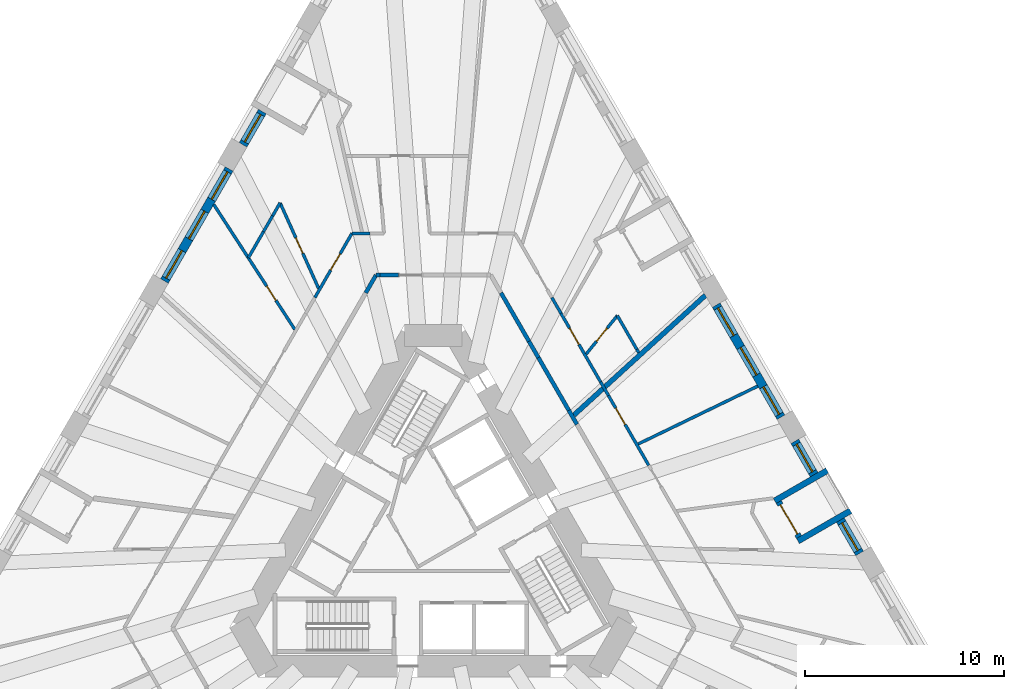
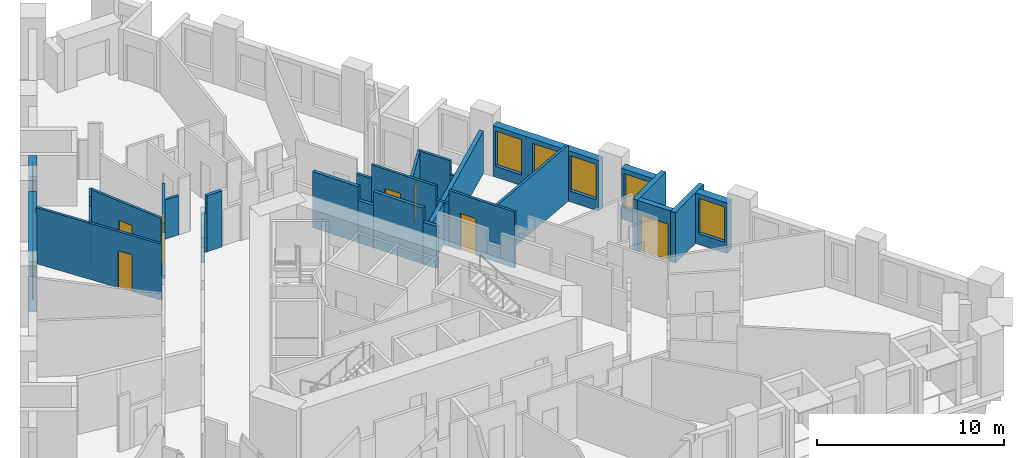
# One storey, part 8 of 14: 31 walls, 9 windows, 7 doors, 16 openings.
"""IFC4 building model written with IfcOpenShell, lengths in metres."""

from ifc_helpers import new_model, si_unit, direction, frame, frame_2d, origin, place, context, subcontext, project, spatial, rectangle, extrude, material, layer, layer_set, type_object, element, fill, save


model = new_model("IFC4")

# Units and contexts
model_context = context("Model", 3, precision=1e-05, world=origin(), true_north=direction((0.0, 1.0)))
body_context = subcontext(model_context, "Body", "Model", "MODEL_VIEW")
ifc_project = project(units=[si_unit("LENGTHUNIT", "METRE"), si_unit("AREAUNIT", "SQUARE_METRE"), si_unit("VOLUMEUNIT", "CUBIC_METRE"), si_unit("PLANEANGLEUNIT", "RADIAN"), si_unit("MASSUNIT", "GRAM", prefix="KILO")], contexts=[model_context])

# Site, building, storey
site_placement = place(None, origin())
site = spatial("IfcSite", under=ifc_project, at=site_placement, CompositionType="ELEMENT")
building_placement = place(site_placement, origin())
building = spatial("IfcBuilding", under=site, at=building_placement, Name="Tramontana Tower", CompositionType="ELEMENT")
storey_placement = place(building_placement, frame((0.0, 0.0, 34.0)))
storey = spatial("IfcBuildingStorey", under=building, at=storey_placement, Name="L06", CompositionType="ELEMENT", Elevation=34.0)

# Walls
ifc_material_1 = material(Name="Blockwork", Category="masonry")
ifc_layer_1 = layer(ifc_material_1, 0.199951171875)
ifc_layer_set_1 = layer_set([ifc_layer_1], Name="ENTRY WALL 200")
wall_type_1 = type_object("IfcWallType", Name="ENTRY WALL 200", PredefinedType="SOLIDWALL", material=ifc_layer_set_1)
wall_1_placement = place(storey_placement, frame((3.404296875, 12.603515625, 0.0), z_axis=(0.0, 0.0, 1.0), x_axis=(0.500000186108, -0.866025296335, 0.0)))
element("IfcWall", 1, at=wall_1_placement, inside=storey, type_object=wall_type_1, Name="Wall v01-ew0-1", PredefinedType="SOLIDWALL", context=body_context, shape_type="SweptSolid", body=[
    extrude(rectangle(XDim=2.8154296875, YDim=0.199951171875, at=frame_2d((1.40771484375, 0.0))), origin(), (0.0, 0.0, 1.0), 3.64990234375),
])
wall_2_placement = place(storey_placement, frame((4.81201171875, 10.165283203125, 0.0), z_axis=(0.0, 0.0, 1.0), x_axis=(0.500174821557, -0.865924446982, 0.0)))
element("IfcWall", 2, at=wall_2_placement, inside=storey, type_object=wall_type_1, Name="Wall v01-ew0-2", PredefinedType="SOLIDWALL", context=body_context, shape_type="SweptSolid", body=[
    extrude(rectangle(XDim=0.949951171875, YDim=0.199951171875, at=frame_2d((0.47509765625, 0.0))), origin(), (0.0, 0.0, 1.0), 2.75),
])
wall_3_placement = place(storey_placement, frame((5.287109375, 9.3427734375, 0.0), z_axis=(0.0, 0.0, 1.0), x_axis=(0.499952348839, -0.866052913447, 0.0)))
element("IfcWall", 3, at=wall_3_placement, inside=storey, type_object=wall_type_1, Name="Wall v01-ew0-3", PredefinedType="SOLIDWALL", context=body_context, shape_type="SweptSolid", body=[
    extrude(rectangle(XDim=3.064208984375, YDim=0.199951171875, at=frame_2d((1.5322265625, 0.0))), origin(), (0.0, 0.0, 1.0), 3.64990234375),
])
wall_4_placement = place(storey_placement, frame((6.819091796875, 6.68896484375, 0.0), z_axis=(0.0, 0.0, 1.0), x_axis=(0.500118501653, -0.865956976012, 0.0)))
element("IfcWall", 4, at=wall_4_placement, inside=storey, type_object=wall_type_1, Name="Wall v01-ew0-4", PredefinedType="SOLIDWALL", context=body_context, shape_type="SweptSolid", body=[
    extrude(rectangle(XDim=0.818115234375, YDim=0.199951171875, at=frame_2d((0.4091796875, 0.0))), origin(), (0.0, 0.0, 1.0), 2.75),
])
wall_5_placement = place(storey_placement, frame((-3.404296875, 12.603515625, 0.0), z_axis=(0.0, 0.0, 1.0), x_axis=(0.499994660107, 0.866028486751, 0.0)))
element("IfcWall", 5, at=wall_5_placement, inside=storey, type_object=wall_type_1, Name="Wall v01-ew4-10", PredefinedType="SOLIDWALL", context=body_context, shape_type="SweptSolid", body=[
    extrude(rectangle(XDim=1.03515625, YDim=0.199951171875, at=frame_2d((0.517578125, 0.0))), origin(), (0.0, 0.0, 1.0), 2.550048828125),
])
wall_6_placement = place(storey_placement, frame((-2.88671875, 13.5, 0.0), z_axis=(0.0, 0.0, 1.0), x_axis=(1.0, 0.0, 0.0)))
element("IfcWall", 6, at=wall_6_placement, inside=storey, type_object=wall_type_1, Name="Wall v01-ew5-0", PredefinedType="SOLIDWALL", context=body_context, shape_type="SweptSolid", body=[
    extrude(rectangle(XDim=0.197265625, YDim=0.199951171875, at=frame_2d((0.0986328125, 0.0))), origin(), (0.0, 0.0, 1.0), 2.550048828125),
])
wall_7_placement = place(storey_placement, frame((-2.689453125, 13.5, 0.0), z_axis=(0.0, 0.0, 1.0), x_axis=(1.0, 0.0, 0.0)))
element("IfcWall", 7, at=wall_7_placement, inside=storey, type_object=wall_type_1, Name="Wall v01-ew5-1", PredefinedType="SOLIDWALL", context=body_context, shape_type="SweptSolid", body=[
    extrude(rectangle(XDim=0.936279296875, YDim=0.199951171875, at=frame_2d((0.46826171875, 0.0))), origin(), (0.0, 0.0, 1.0), 3.64990234375),
])

# Wall, opening, window
ifc_material_2 = material(Name="Precast concrete 60 MPa", Category="concrete")
ifc_layer_2 = layer(ifc_material_2, 0.449951171875)
ifc_layer_set_2 = layer_set([ifc_layer_2], Name="Precast concrete 60 MPa, 450 mm")
wall_type_2 = type_object("IfcWallType", Name="EW1 Stone-faced precast wall 450", PredefinedType="SOLIDWALL", material=ifc_layer_set_2)
wall_8_placement = place(storey_placement, frame((-8.61181640625, 21.73388671875, 0.0), z_axis=(0.0, 0.0, 1.0), x_axis=(-0.500038474733, -0.866003189247, 0.0)))
wall_8 = element("IfcWall", 8, at=wall_8_placement, inside=storey, type_object=wall_type_2, Name="External wall L06 face 0 bay 2", PredefinedType="SOLIDWALL", context=body_context, shape_type="SweptSolid", body=[
    extrude(rectangle(XDim=1.939208984375, YDim=0.449951171875, at=frame_2d((0.9697265625, 0.0))), origin(), (0.0, 0.0, 1.0), 3.300048828125),
])
opening_1_placement = place(wall_8_placement, frame((0.169677734375, 0.0, 0.699951171875)))
opening_1 = element("IfcOpeningElement", 9, at=opening_1_placement, cuts=wall_8, Name="Opening M1", PredefinedType="OPENING", context=body_context, shape_type="SweptSolid", body=[
    extrude(rectangle(XDim=1.60009765625, YDim=2.300048828125, at=frame_2d((0.800048828125, 1.14990234375))), frame((0.0, 0.23486328125, 0.0), z_axis=(0.0, -1.0, 0.0), x_axis=(1.0, 0.0, 0.0)), (0.0, 0.0, 1.0), 0.469970703125),
])
ifc_material_3 = material(Name="Aluminum frame, double glazing unit", Category="aluminium")
window_type = type_object("IfcWindowType", Name="M1 Window 1.6 x 2.3", PartitioningType="SINGLE_PANEL", PredefinedType="WINDOW", material=ifc_material_3)
window_1_placement = place(opening_1_placement, origin())
window_1 = element("IfcWindow", 10, at=window_1_placement, inside=storey, type_object=window_type, Name="Window M1 L06 face 0 module 6", OverallHeight=2.300048828125, OverallWidth=1.60009765625, PartitioningType="SINGLE_PANEL", PredefinedType="WINDOW", context=body_context, shape_type="SweptSolid", body=[
    extrude(rectangle(XDim=1.60009765625, YDim=2.300048828125, at=frame_2d((0.800048828125, 1.14990234375))), frame((0.0, 0.030029296875, 0.0), z_axis=(0.0, -1.0, 0.0), x_axis=(1.0, 0.0, 0.0)), (0.0, 0.0, 1.0), 0.06005859375),
])
fill(opening_1, window_1)

# Wall, openings, windows
wall_9_placement = place(storey_placement, frame((-10.281494140625, 18.842041015625, 0.0), z_axis=(0.0, 0.0, 1.0), x_axis=(-0.500002371706, -0.866024034475, 0.0)))
wall_9 = element("IfcWall", 11, at=wall_9_placement, inside=storey, type_object=wall_type_2, Name="External wall L06 face 0 bay 3", PredefinedType="SOLIDWALL", context=body_context, shape_type="SweptSolid", body=[
    extrude(rectangle(XDim=6.51806640625, YDim=0.449951171875, at=frame_2d((3.259033203125, 0.0))), origin(), (0.0, 0.0, 1.0), 3.300048828125),
])
opening_2_placement = place(wall_9_placement, frame((0.169677734375, 0.0, 0.699951171875)))
opening_2 = element("IfcOpeningElement", 12, at=opening_2_placement, cuts=wall_9, Name="Opening M1", PredefinedType="OPENING", context=body_context, shape_type="SweptSolid", body=[
    extrude(rectangle(XDim=1.60009765625, YDim=2.300048828125, at=frame_2d((0.800048828125, 1.14990234375))), frame((0.0, 0.23486328125, 0.0), z_axis=(0.0, -1.0, 0.0), x_axis=(1.0, 0.0, 0.0)), (0.0, 0.0, 1.0), 0.469970703125),
])
opening_3_placement = place(wall_9_placement, frame((2.458984375, 0.0, 0.699951171875)))
opening_3 = element("IfcOpeningElement", 13, at=opening_3_placement, cuts=wall_9, Name="Opening M1", PredefinedType="OPENING", context=body_context, shape_type="SweptSolid", body=[
    extrude(rectangle(XDim=1.60009765625, YDim=2.300048828125, at=frame_2d((0.800048828125, 1.14990234375))), frame((0.0, 0.23486328125, 0.0), z_axis=(0.0, -1.0, 0.0), x_axis=(1.0, 0.0, 0.0)), (0.0, 0.0, 1.0), 0.469970703125),
])
opening_4_placement = place(wall_9_placement, frame((4.748291015625, 0.0, 0.699951171875)))
opening_4 = element("IfcOpeningElement", 14, at=opening_4_placement, cuts=wall_9, Name="Opening M1", PredefinedType="OPENING", context=body_context, shape_type="SweptSolid", body=[
    extrude(rectangle(XDim=1.60009765625, YDim=2.300048828125, at=frame_2d((0.800048828125, 1.14990234375))), frame((0.0, 0.23486328125, 0.0), z_axis=(0.0, -1.0, 0.0), x_axis=(1.0, 0.0, 0.0)), (0.0, 0.0, 1.0), 0.469970703125),
])
window_2_placement = place(opening_2_placement, origin())
window_2 = element("IfcWindow", 15, at=window_2_placement, inside=storey, type_object=window_type, Name="Window M1 L06 face 0 module 7", OverallHeight=2.300048828125, OverallWidth=1.60009765625, PartitioningType="SINGLE_PANEL", PredefinedType="WINDOW", context=body_context, shape_type="SweptSolid", body=[
    extrude(rectangle(XDim=1.60009765625, YDim=2.300048828125, at=frame_2d((0.800048828125, 1.14990234375))), frame((0.0, 0.030029296875, 0.0), z_axis=(0.0, -1.0, 0.0), x_axis=(1.0, 0.0, 0.0)), (0.0, 0.0, 1.0), 0.06005859375),
])
fill(opening_2, window_2)
window_3_placement = place(opening_3_placement, origin())
window_3 = element("IfcWindow", 16, at=window_3_placement, inside=storey, type_object=window_type, Name="Window M1 L06 face 0 module 8", OverallHeight=2.300048828125, OverallWidth=1.60009765625, PartitioningType="SINGLE_PANEL", PredefinedType="WINDOW", context=body_context, shape_type="SweptSolid", body=[
    extrude(rectangle(XDim=1.60009765625, YDim=2.300048828125, at=frame_2d((0.800048828125, 1.14990234375))), frame((0.0, 0.030029296875, 0.0), z_axis=(0.0, -1.0, 0.0), x_axis=(1.0, 0.0, 0.0)), (0.0, 0.0, 1.0), 0.06005859375),
])
fill(opening_3, window_3)
window_4_placement = place(opening_4_placement, origin())
window_4 = element("IfcWindow", 17, at=window_4_placement, inside=storey, type_object=window_type, Name="Window M1 L06 face 0 module 9", OverallHeight=2.300048828125, OverallWidth=1.60009765625, PartitioningType="SINGLE_PANEL", PredefinedType="WINDOW", context=body_context, shape_type="SweptSolid", body=[
    extrude(rectangle(XDim=1.60009765625, YDim=2.300048828125, at=frame_2d((0.800048828125, 1.14990234375))), frame((0.0, 0.030029296875, 0.0), z_axis=(0.0, -1.0, 0.0), x_axis=(1.0, 0.0, 0.0)), (0.0, 0.0, 1.0), 0.06005859375),
])
fill(opening_4, window_4)

# Wall, opening, window
wall_10_placement = place(storey_placement, frame((21.45849609375, -0.51708984375, 0.0), z_axis=(0.0, 0.0, 1.0), x_axis=(-0.49998396455, 0.866034661658, 0.0)))
wall_10 = element("IfcWall", 18, at=wall_10_placement, inside=storey, type_object=wall_type_2, Name="External wall L06 face 2 bay 3", PredefinedType="SOLIDWALL", context=body_context, shape_type="SweptSolid", body=[
    extrude(rectangle(XDim=1.939453125, YDim=0.449951171875, at=frame_2d((0.9697265625, 0.0))), origin(), (0.0, 0.0, 1.0), 3.300048828125),
])
opening_5_placement = place(wall_10_placement, frame((0.169677734375, 0.0, 0.699951171875)))
opening_5 = element("IfcOpeningElement", 19, at=opening_5_placement, cuts=wall_10, Name="Opening M1", PredefinedType="OPENING", context=body_context, shape_type="SweptSolid", body=[
    extrude(rectangle(XDim=1.60009765625, YDim=2.300048828125, at=frame_2d((0.800048828125, 1.14990234375))), frame((0.0, 0.23486328125, 0.0), z_axis=(0.0, -1.0, 0.0), x_axis=(1.0, 0.0, 0.0)), (0.0, 0.0, 1.0), 0.469970703125),
])
window_5_placement = place(opening_5_placement, origin())
window_5 = element("IfcWindow", 20, at=window_5_placement, inside=storey, type_object=window_type, Name="Window M1 L06 face 2 module 7", OverallHeight=2.300048828125, OverallWidth=1.60009765625, PartitioningType="SINGLE_PANEL", PredefinedType="WINDOW", context=body_context, shape_type="SweptSolid", body=[
    extrude(rectangle(XDim=1.60009765625, YDim=2.300048828125, at=frame_2d((0.800048828125, 1.14990234375))), frame((0.0, 0.030029296875, 0.0), z_axis=(0.0, -1.0, 0.0), x_axis=(1.0, 0.0, 0.0)), (0.0, 0.0, 1.0), 0.06005859375),
])
fill(opening_5, window_5)

wall_11_placement = place(storey_placement, frame((19.1689453125, 3.4482421875, 0.0), z_axis=(0.0, 0.0, 1.0), x_axis=(-0.499944052521, 0.866057702667, 0.0)))
wall_11 = element("IfcWall", 21, at=wall_11_placement, inside=storey, type_object=wall_type_2, Name="External wall L06 face 2 bay 3", PredefinedType="SOLIDWALL", context=body_context, shape_type="SweptSolid", body=[
    extrude(rectangle(XDim=1.939208984375, YDim=0.449951171875, at=frame_2d((0.9697265625, 0.0))), origin(), (0.0, 0.0, 1.0), 3.300048828125),
])
opening_6_placement = place(wall_11_placement, frame((0.169677734375, 0.0, 0.699951171875)))
opening_6 = element("IfcOpeningElement", 22, at=opening_6_placement, cuts=wall_11, Name="Opening M1", PredefinedType="OPENING", context=body_context, shape_type="SweptSolid", body=[
    extrude(rectangle(XDim=1.60009765625, YDim=2.300048828125, at=frame_2d((0.800048828125, 1.14990234375))), frame((0.0, 0.23486328125, 0.0), z_axis=(0.0, -1.0, 0.0), x_axis=(1.0, 0.0, 0.0)), (0.0, 0.0, 1.0), 0.469970703125),
])
window_6_placement = place(opening_6_placement, origin())
window_6 = element("IfcWindow", 23, at=window_6_placement, inside=storey, type_object=window_type, Name="Window M1 L06 face 2 module 9", OverallHeight=2.300048828125, OverallWidth=1.60009765625, PartitioningType="SINGLE_PANEL", PredefinedType="WINDOW", context=body_context, shape_type="SweptSolid", body=[
    extrude(rectangle(XDim=1.60009765625, YDim=2.300048828125, at=frame_2d((0.800048828125, 1.14990234375))), frame((0.0, 0.030029296875, 0.0), z_axis=(0.0, -1.0, 0.0), x_axis=(1.0, 0.0, 0.0)), (0.0, 0.0, 1.0), 0.06005859375),
])
fill(opening_6, window_6)

# Wall, openings, windows
wall_12_placement = place(storey_placement, frame((17.49951171875, 6.340087890625, 0.0), z_axis=(0.0, 0.0, 1.0), x_axis=(-0.500002371706, 0.866024034475, 0.0)))
wall_12 = element("IfcWall", 24, at=wall_12_placement, inside=storey, type_object=wall_type_2, Name="External wall L06 face 2 bay 4", PredefinedType="SOLIDWALL", context=body_context, shape_type="SweptSolid", body=[
    extrude(rectangle(XDim=6.51806640625, YDim=0.449951171875, at=frame_2d((3.259033203125, 0.0))), origin(), (0.0, 0.0, 1.0), 3.300048828125),
])
opening_7_placement = place(wall_12_placement, frame((0.169677734375, 0.0, 0.699951171875)))
opening_7 = element("IfcOpeningElement", 25, at=opening_7_placement, cuts=wall_12, Name="Opening M1", PredefinedType="OPENING", context=body_context, shape_type="SweptSolid", body=[
    extrude(rectangle(XDim=1.60009765625, YDim=2.300048828125, at=frame_2d((0.800048828125, 1.14990234375))), frame((0.0, 0.23486328125, 0.0), z_axis=(0.0, -1.0, 0.0), x_axis=(1.0, 0.0, 0.0)), (0.0, 0.0, 1.0), 0.469970703125),
])
opening_8_placement = place(wall_12_placement, frame((2.458984375, 0.0, 0.699951171875)))
opening_8 = element("IfcOpeningElement", 26, at=opening_8_placement, cuts=wall_12, Name="Opening M1", PredefinedType="OPENING", context=body_context, shape_type="SweptSolid", body=[
    extrude(rectangle(XDim=1.60009765625, YDim=2.300048828125, at=frame_2d((0.800048828125, 1.14990234375))), frame((0.0, 0.23486328125, 0.0), z_axis=(0.0, -1.0, 0.0), x_axis=(1.0, 0.0, 0.0)), (0.0, 0.0, 1.0), 0.469970703125),
])
opening_9_placement = place(wall_12_placement, frame((4.748291015625, 0.0, 0.699951171875)))
opening_9 = element("IfcOpeningElement", 27, at=opening_9_placement, cuts=wall_12, Name="Opening M1", PredefinedType="OPENING", context=body_context, shape_type="SweptSolid", body=[
    extrude(rectangle(XDim=1.60009765625, YDim=2.300048828125, at=frame_2d((0.800048828125, 1.14990234375))), frame((0.0, 0.23486328125, 0.0), z_axis=(0.0, -1.0, 0.0), x_axis=(1.0, 0.0, 0.0)), (0.0, 0.0, 1.0), 0.469970703125),
])
window_7_placement = place(opening_7_placement, origin())
window_7 = element("IfcWindow", 28, at=window_7_placement, inside=storey, type_object=window_type, Name="Window M1 L06 face 2 module 10", OverallHeight=2.300048828125, OverallWidth=1.60009765625, PartitioningType="SINGLE_PANEL", PredefinedType="WINDOW", context=body_context, shape_type="SweptSolid", body=[
    extrude(rectangle(XDim=1.60009765625, YDim=2.300048828125, at=frame_2d((0.800048828125, 1.14990234375))), frame((0.0, 0.030029296875, 0.0), z_axis=(0.0, -1.0, 0.0), x_axis=(1.0, 0.0, 0.0)), (0.0, 0.0, 1.0), 0.06005859375),
])
fill(opening_7, window_7)
window_8_placement = place(opening_8_placement, origin())
window_8 = element("IfcWindow", 29, at=window_8_placement, inside=storey, type_object=window_type, Name="Window M1 L06 face 2 module 11", OverallHeight=2.300048828125, OverallWidth=1.60009765625, PartitioningType="SINGLE_PANEL", PredefinedType="WINDOW", context=body_context, shape_type="SweptSolid", body=[
    extrude(rectangle(XDim=1.60009765625, YDim=2.300048828125, at=frame_2d((0.800048828125, 1.14990234375))), frame((0.0, 0.030029296875, 0.0), z_axis=(0.0, -1.0, 0.0), x_axis=(1.0, 0.0, 0.0)), (0.0, 0.0, 1.0), 0.06005859375),
])
fill(opening_8, window_8)
window_9_placement = place(opening_9_placement, origin())
window_9 = element("IfcWindow", 30, at=window_9_placement, inside=storey, type_object=window_type, Name="Window M1 L06 face 2 module 12", OverallHeight=2.300048828125, OverallWidth=1.60009765625, PartitioningType="SINGLE_PANEL", PredefinedType="WINDOW", context=body_context, shape_type="SweptSolid", body=[
    extrude(rectangle(XDim=1.60009765625, YDim=2.300048828125, at=frame_2d((0.800048828125, 1.14990234375))), frame((0.0, 0.030029296875, 0.0), z_axis=(0.0, -1.0, 0.0), x_axis=(1.0, 0.0, 0.0)), (0.0, 0.0, 1.0), 0.06005859375),
])
fill(opening_9, window_9)

# Wall, opening, door
ifc_material_4 = material(Name="Precast concrete 60 MPa", Category="concrete")
ifc_layer_3 = layer(ifc_material_4, 0.300048828125)
ifc_layer_set_3 = layer_set([ifc_layer_3], Name="LW1 Stone-faced loggia wall 300")
wall_type_3 = type_object("IfcWallType", Name="LW1 Stone-faced loggia wall 300", PredefinedType="SOLIDWALL", material=ifc_layer_set_3)
wall_13_placement = place(storey_placement, frame((18.411865234375, 0.309814453125, 0.0), z_axis=(0.0, 0.0, 1.0), x_axis=(-0.500040236659, 0.866002171892, 0.0)))
wall_13 = element("IfcWall", 31, at=wall_13_placement, inside=storey, type_object=wall_type_3, Name="Loggia wall L06 G0S2.7", PredefinedType="SOLIDWALL", context=body_context, shape_type="SweptSolid", body=[
    extrude(rectangle(XDim=2.039306640625, YDim=0.300048828125, at=frame_2d((1.01953125, 0.0))), origin(), (0.0, 0.0, 1.0), 3.300048828125),
])
opening_10_placement = place(wall_13_placement, frame((0.169677734375, 0.0, 0.0)))
opening_10 = element("IfcOpeningElement", 32, at=opening_10_placement, cuts=wall_13, Name="Opening BD-0S2-07", PredefinedType="OPENING", context=body_context, shape_type="SweptSolid", body=[
    extrude(rectangle(XDim=1.699951171875, YDim=2.39990234375, at=frame_2d((0.85009765625, 1.199951171875))), frame((0.0, 0.159912109375, 0.0), z_axis=(0.0, -1.0, 0.0), x_axis=(1.0, 0.0, 0.0)), (0.0, 0.0, 1.0), 0.320068359375),
])
ifc_material_5 = material(Name="Aluminum frame, double glazing unit", Category="aluminium")
door_type_1 = type_object("IfcDoorType", Name="BD1 Sliding door 1.7 x 2.4", OperationType="SLIDING_TO_LEFT", PredefinedType="DOOR", material=ifc_material_5)
door_1_placement = place(opening_10_placement, origin())
door_1 = element("IfcDoor", 33, at=door_1_placement, inside=storey, type_object=door_type_1, Name="Loggia door L06 G0S2.7", OperationType="SLIDING_TO_LEFT", OverallHeight=2.39990234375, OverallWidth=1.699951171875, PredefinedType="DOOR", context=body_context, shape_type="SweptSolid", body=[
    extrude(rectangle(XDim=1.699951171875, YDim=2.39990234375, at=frame_2d((0.85009765625, 1.199951171875))), frame((0.0, 0.02490234375, 0.0), z_axis=(0.0, -1.0, 0.0), x_axis=(1.0, 0.0, 0.0)), (0.0, 0.0, 1.0), 0.050048828125),
])
fill(opening_10, door_1)

# Walls
for number, where, z_axis, x_axis, name in (
    (34, (20.998291015625, 1.6298828125, 0.0), (0.0, 0.0, 1.0), (-0.866037623948, -0.499978833458, 0.0), "Loggia return L06 G0S2.7a"),
    (35, (19.82861328125, 3.65576171875, 0.0), (0.0, 0.0, 1.0), (-0.866037623948, -0.499978833458, 0.0), "Loggia return L06 G0S2.7b"),
):
    element("IfcWall", number, at=place(storey_placement, frame(where, z_axis=z_axis, x_axis=x_axis)), inside=storey, type_object=wall_type_3, Name=name, PredefinedType="SOLIDWALL", context=body_context, shape_type="SweptSolid", body=[
        extrude(rectangle(XDim=3.050048828125, YDim=0.300048828125, at=frame_2d((1.52490234375, 0.0))), origin(), (0.0, 0.0, 1.0), 3.300048828125),
    ])

# Wall, opening, door
ifc_material_6 = material(Name="Gypsum board partition")
ifc_layer_4 = layer(ifc_material_6, 0.14990234375)
ifc_layer_set_4 = layer_set([ifc_layer_4], Name="PARTITION 150")
wall_type_4 = type_object("IfcWallType", Name="PARTITION 150", PredefinedType="PARTITIONING", material=ifc_layer_set_4)
wall_14_placement = place(storey_placement, frame((-5.9658203125, 12.366943359375, 0.0), z_axis=(0.0, 0.0, 1.0), x_axis=(0.500007375767, 0.866021145342, 0.0)))
wall_14 = element("IfcWall", 36, at=wall_14_placement, inside=storey, type_object=wall_type_4, Name="Wall v01-pw07-8", PredefinedType="PARTITIONING", context=body_context, shape_type="SweptSolid", body=[
    extrude(rectangle(XDim=3.7333984375, YDim=0.14990234375, at=frame_2d((1.86669921875, 0.0))), origin(), (0.0, 0.0, 1.0), 3.64990234375),
])
opening_11_placement = place(wall_14_placement, frame((1.59228515625, 0.0, 0.0)))
opening_11 = element("IfcOpeningElement", 37, at=opening_11_placement, cuts=wall_14, Name="Opening B0B-07", PredefinedType="OPENING", context=body_context, shape_type="SweptSolid", body=[
    extrude(rectangle(XDim=0.949951171875, YDim=2.39990234375, at=frame_2d((0.47509765625, 1.199951171875))), frame((0.0, 0.0849609375, 0.0), z_axis=(0.0, -1.0, 0.0), x_axis=(1.0, 0.0, 0.0)), (0.0, 0.0, 1.0), 0.169921875),
])
ifc_material_7 = material(Name="Painted timber", Category="wood")
door_type_2 = type_object("IfcDoorType", Name="DOOR ROOM 950", OperationType="SINGLE_SWING_LEFT", PredefinedType="DOOR", material=ifc_material_7)
door_2_placement = place(opening_11_placement, origin())
door_2 = element("IfcDoor", 38, at=door_2_placement, inside=storey, type_object=door_type_2, Name="Door B0B-07", OperationType="SINGLE_SWING_LEFT", OverallHeight=2.39990234375, OverallWidth=0.949951171875, PredefinedType="DOOR", context=body_context, shape_type="SweptSolid", body=[
    extrude(rectangle(XDim=0.949951171875, YDim=2.39990234375, at=frame_2d((0.47509765625, 1.199951171875))), frame((0.0, 0.02490234375, 0.0), z_axis=(0.0, -1.0, 0.0), x_axis=(1.0, 0.0, 0.0)), (0.0, 0.0, 1.0), 0.050048828125),
])
fill(opening_11, door_2)

# Walls
wall_15_placement = place(storey_placement, frame((-9.313720703125, 14.3681640625, 0.0), z_axis=(0.0, 0.0, 1.0), x_axis=(0.500014901547, 0.866016800201, 0.0)))
element("IfcWall", 39, at=wall_15_placement, inside=storey, type_object=wall_type_4, Name="Wall v01-pw17-0", PredefinedType="PARTITIONING", context=body_context, shape_type="SweptSolid", body=[
    extrude(rectangle(XDim=1.517578125, YDim=0.14990234375, at=frame_2d((0.7587890625, 0.0))), origin(), (0.0, 0.0, 1.0), 3.64990234375),
])
wall_16_placement = place(storey_placement, frame((-8.554931640625, 15.682373046875, 0.0), z_axis=(0.0, 0.0, 1.0), x_axis=(0.499990325971, 0.866030989016, 0.0)))
element("IfcWall", 40, at=wall_16_placement, inside=storey, type_object=wall_type_4, Name="Wall v01-pw17-1", PredefinedType="PARTITIONING", context=body_context, shape_type="SweptSolid", body=[
    extrude(rectangle(XDim=0.92041015625, YDim=0.14990234375, at=frame_2d((0.460205078125, 0.0))), origin(), (0.0, 0.0, 1.0), 2.75),
])
wall_17_placement = place(storey_placement, frame((-8.0947265625, 16.4794921875, 0.0), z_axis=(0.0, 0.0, 1.0), x_axis=(0.499825074184, 0.866126373699, 0.0)))
element("IfcWall", 41, at=wall_17_placement, inside=storey, type_object=wall_type_4, Name="Wall v01-pw17-2", PredefinedType="PARTITIONING", context=body_context, shape_type="SweptSolid", body=[
    extrude(rectangle(XDim=0.755126953125, YDim=0.14990234375, at=frame_2d((0.37744140625, 0.0))), origin(), (0.0, 0.0, 1.0), 3.64990234375),
])

# Wall, opening, door
wall_18_placement = place(storey_placement, frame((-5.781494140625, 12.8359375, 0.0), z_axis=(0.0, 0.0, 1.0), x_axis=(-0.410694166508, 0.911773163455, 0.0)))
wall_18 = element("IfcWall", 42, at=wall_18_placement, inside=storey, type_object=wall_type_4, Name="Wall v01-pw20", PredefinedType="PARTITIONING", context=body_context, shape_type="SweptSolid", body=[
    extrude(rectangle(XDim=4.71337890625, YDim=0.14990234375, at=frame_2d((2.356689453125, 0.0))), origin(), (0.0, 0.0, 1.0), 3.64990234375),
])
opening_12_placement = place(wall_18_placement, frame((1.931640625, 0.0, 0.0)))
opening_12 = element("IfcOpeningElement", 43, at=opening_12_placement, cuts=wall_18, Name="Opening B0B-12", PredefinedType="OPENING", context=body_context, shape_type="SweptSolid", body=[
    extrude(rectangle(XDim=0.85009765625, YDim=2.39990234375, at=frame_2d((0.425048828125, 1.199951171875))), frame((0.0, 0.0849609375, 0.0), z_axis=(0.0, -1.0, 0.0), x_axis=(1.0, 0.0, 0.0)), (0.0, 0.0, 1.0), 0.169921875),
])
ifc_material_8 = material(Name="Painted timber", Category="wood")
door_type_3 = type_object("IfcDoorType", Name="DOOR BATH 850", OperationType="SINGLE_SWING_LEFT", PredefinedType="DOOR", material=ifc_material_8)
door_3_placement = place(opening_12_placement, origin())
door_3 = element("IfcDoor", 44, at=door_3_placement, inside=storey, type_object=door_type_3, Name="Door B0B-12", OperationType="SINGLE_SWING_RIGHT", OverallHeight=2.39990234375, OverallWidth=0.85009765625, PredefinedType="DOOR", context=body_context, shape_type="SweptSolid", body=[
    extrude(rectangle(XDim=0.85009765625, YDim=2.39990234375, at=frame_2d((0.425048828125, 1.199951171875))), frame((0.0, 0.02490234375, 0.0), z_axis=(0.0, -1.0, 0.0), x_axis=(1.0, 0.0, 0.0)), (0.0, 0.0, 1.0), 0.050048828125),
])
fill(opening_12, door_3)

wall_19_placement = place(storey_placement, frame((-11.05615234375, 17.050048828125, 0.0), z_axis=(0.0, 0.0, 1.0), x_axis=(0.544077690049, -0.839034842656, 0.0)))
wall_19 = element("IfcWall", 45, at=wall_19_placement, inside=storey, type_object=wall_type_4, Name="Wall v01-pw21", PredefinedType="PARTITIONING", context=body_context, shape_type="SweptSolid", body=[
    extrude(rectangle(XDim=7.494140625, YDim=0.14990234375, at=frame_2d((3.7470703125, 0.0))), origin(), (0.0, 0.0, 1.0), 3.64990234375),
])
opening_13_placement = place(wall_19_placement, frame((4.901123046875, 0.0, 0.0)))
opening_13 = element("IfcOpeningElement", 46, at=opening_13_placement, cuts=wall_19, Name="Opening B0B-13", PredefinedType="OPENING", context=body_context, shape_type="SweptSolid", body=[
    extrude(rectangle(XDim=0.85009765625, YDim=2.39990234375, at=frame_2d((0.425048828125, 1.199951171875))), frame((0.0, 0.0849609375, 0.0), z_axis=(0.0, -1.0, 0.0), x_axis=(1.0, 0.0, 0.0)), (0.0, 0.0, 1.0), 0.169921875),
])
door_4_placement = place(opening_13_placement, origin())
door_4 = element("IfcDoor", 47, at=door_4_placement, inside=storey, type_object=door_type_3, Name="Door B0B-13", OperationType="SINGLE_SWING_LEFT", OverallHeight=2.39990234375, OverallWidth=0.85009765625, PredefinedType="DOOR", context=body_context, shape_type="SweptSolid", body=[
    extrude(rectangle(XDim=0.85009765625, YDim=2.39990234375, at=frame_2d((0.425048828125, 1.199951171875))), frame((0.0, 0.02490234375, 0.0), z_axis=(0.0, -1.0, 0.0), x_axis=(1.0, 0.0, 0.0)), (0.0, 0.0, 1.0), 0.050048828125),
])
fill(opening_13, door_4)

# Walls
wall_20_placement = place(storey_placement, frame((-4.09912109375, 15.60009765625, 0.0), z_axis=(0.0, 0.0, 1.0), x_axis=(1.0, 0.0, 0.0)))
element("IfcWall", 48, at=wall_20_placement, inside=storey, type_object=wall_type_4, Name="Wall v01-pw27-0", PredefinedType="PARTITIONING", context=body_context, shape_type="SweptSolid", body=[
    extrude(rectangle(XDim=0.906494140625, YDim=0.14990234375, at=frame_2d((0.453125, 0.0))), origin(), (0.0, 0.0, 1.0), 2.550048828125),
])
wall_21_placement = place(storey_placement, frame((5.9658203125, 12.366943359375, 0.0), z_axis=(0.0, 0.0, 1.0), x_axis=(0.499990325971, -0.866030989016, 0.0)))
element("IfcWall", 49, at=wall_21_placement, inside=storey, type_object=wall_type_4, Name="Wall v01-pw35-1", PredefinedType="PARTITIONING", context=body_context, shape_type="SweptSolid", body=[
    extrude(rectangle(XDim=0.92041015625, YDim=0.14990234375, at=frame_2d((0.460205078125, 0.0))), origin(), (0.0, 0.0, 1.0), 2.75),
])

# Wall, opening, door
wall_22_placement = place(storey_placement, frame((6.426025390625, 11.56982421875, 0.0), z_axis=(0.0, 0.0, 1.0), x_axis=(0.500010364181, -0.866019419939, 0.0)))
wall_22 = element("IfcWall", 50, at=wall_22_placement, inside=storey, type_object=wall_type_4, Name="Wall v01-pw35-2", PredefinedType="PARTITIONING", context=body_context, shape_type="SweptSolid", body=[
    extrude(rectangle(XDim=3.98828125, YDim=0.14990234375, at=frame_2d((1.994140625, 0.0))), origin(), (0.0, 0.0, 1.0), 3.64990234375),
])
opening_14_placement = place(wall_22_placement, frame((0.860595703125, 0.0, 0.0)))
opening_14 = element("IfcOpeningElement", 51, at=opening_14_placement, cuts=wall_22, Name="Opening B0B-06", PredefinedType="OPENING", context=body_context, shape_type="SweptSolid", body=[
    extrude(rectangle(XDim=0.949951171875, YDim=2.39990234375, at=frame_2d((0.47509765625, 1.199951171875))), frame((0.0, 0.0849609375, 0.0), z_axis=(0.0, -1.0, 0.0), x_axis=(1.0, 0.0, 0.0)), (0.0, 0.0, 1.0), 0.169921875),
])
door_5_placement = place(opening_14_placement, origin())
door_5 = element("IfcDoor", 52, at=door_5_placement, inside=storey, type_object=door_type_2, Name="Door B0B-06", OperationType="SINGLE_SWING_RIGHT", OverallHeight=2.39990234375, OverallWidth=0.949951171875, PredefinedType="DOOR", context=body_context, shape_type="SweptSolid", body=[
    extrude(rectangle(XDim=0.949951171875, YDim=2.39990234375, at=frame_2d((0.47509765625, 1.199951171875))), frame((0.0, 0.02490234375, 0.0), z_axis=(0.0, -1.0, 0.0), x_axis=(1.0, 0.0, 0.0)), (0.0, 0.0, 1.0), 0.050048828125),
])
fill(opening_14, door_5)

# Wall
wall_23_placement = place(storey_placement, frame((8.420166015625, 8.115966796875, 0.0), z_axis=(0.0, 0.0, 1.0), x_axis=(0.500015802937, -0.866016279763, 0.0)))
element("IfcWall", 53, at=wall_23_placement, inside=storey, type_object=wall_type_4, Name="Wall v01-pw35-3", PredefinedType="PARTITIONING", context=body_context, shape_type="SweptSolid", body=[
    extrude(rectangle(XDim=0.79248046875, YDim=0.14990234375, at=frame_2d((0.396240234375, 0.0))), origin(), (0.0, 0.0, 1.0), 2.75),
])

# Wall, opening, door
wall_24_placement = place(storey_placement, frame((8.81640625, 7.4296875, 0.0), z_axis=(0.0, 0.0, 1.0), x_axis=(0.500007556608, -0.866021040931, 0.0)))
wall_24 = element("IfcWall", 54, at=wall_24_placement, inside=storey, type_object=wall_type_4, Name="Wall v01-pw35-4", PredefinedType="PARTITIONING", context=body_context, shape_type="SweptSolid", body=[
    extrude(rectangle(XDim=4.05224609375, YDim=0.14990234375, at=frame_2d((2.026123046875, 0.0))), origin(), (0.0, 0.0, 1.0), 3.64990234375),
])
opening_15_placement = place(wall_24_placement, frame((0.72509765625, 0.0, 0.0)))
opening_15 = element("IfcOpeningElement", 55, at=opening_15_placement, cuts=wall_24, Name="Opening B0B-32", PredefinedType="OPENING", context=body_context, shape_type="SweptSolid", body=[
    extrude(rectangle(XDim=0.949951171875, YDim=2.39990234375, at=frame_2d((0.47509765625, 1.199951171875))), frame((0.0, 0.0849609375, 0.0), z_axis=(0.0, -1.0, 0.0), x_axis=(1.0, 0.0, 0.0)), (0.0, 0.0, 1.0), 0.169921875),
])
door_6_placement = place(opening_15_placement, origin())
door_6 = element("IfcDoor", 56, at=door_6_placement, inside=storey, type_object=door_type_2, Name="Door B0B-32", OperationType="SINGLE_SWING_RIGHT", OverallHeight=2.39990234375, OverallWidth=0.949951171875, PredefinedType="DOOR", context=body_context, shape_type="SweptSolid", body=[
    extrude(rectangle(XDim=0.949951171875, YDim=2.39990234375, at=frame_2d((0.47509765625, 1.199951171875))), frame((0.0, 0.02490234375, 0.0), z_axis=(0.0, -1.0, 0.0), x_axis=(1.0, 0.0, 0.0)), (0.0, 0.0, 1.0), 0.050048828125),
])
fill(opening_15, door_6)

wall_25_placement = place(storey_placement, frame((9.26171875, 11.45849609375, 0.0), z_axis=(0.0, 0.0, 1.0), x_axis=(-0.628642714077, -0.77769424457, 0.0)))
wall_25 = element("IfcWall", 57, at=wall_25_placement, inside=storey, type_object=wall_type_4, Name="Wall v01-pw37", PredefinedType="PARTITIONING", context=body_context, shape_type="SweptSolid", body=[
    extrude(rectangle(XDim=2.491455078125, YDim=0.14990234375, at=frame_2d((1.24560546875, 0.0))), origin(), (0.0, 0.0, 1.0), 3.64990234375),
])
opening_16_placement = place(wall_25_placement, frame((0.820556640625, 0.0, 0.0)))
opening_16 = element("IfcOpeningElement", 58, at=opening_16_placement, cuts=wall_25, Name="Opening B0B-11", PredefinedType="OPENING", context=body_context, shape_type="SweptSolid", body=[
    extrude(rectangle(XDim=0.85009765625, YDim=2.39990234375, at=frame_2d((0.425048828125, 1.199951171875))), frame((0.0, 0.0849609375, 0.0), z_axis=(0.0, -1.0, 0.0), x_axis=(1.0, 0.0, 0.0)), (0.0, 0.0, 1.0), 0.169921875),
])
door_7_placement = place(opening_16_placement, origin())
door_7 = element("IfcDoor", 59, at=door_7_placement, inside=storey, type_object=door_type_3, Name="Door B0B-11", OperationType="SINGLE_SWING_LEFT", OverallHeight=2.39990234375, OverallWidth=0.85009765625, PredefinedType="DOOR", context=body_context, shape_type="SweptSolid", body=[
    extrude(rectangle(XDim=0.85009765625, YDim=2.39990234375, at=frame_2d((0.425048828125, 1.199951171875))), frame((0.0, 0.02490234375, 0.0), z_axis=(0.0, -1.0, 0.0), x_axis=(1.0, 0.0, 0.0)), (0.0, 0.0, 1.0), 0.050048828125),
])
fill(opening_16, door_7)

# Walls
wall_26_placement = place(storey_placement, frame((9.26171875, 11.45849609375, 0.0), z_axis=(0.0, 0.0, 1.0), x_axis=(0.499927144463, -0.866067462862, 0.0)))
element("IfcWall", 60, at=wall_26_placement, inside=storey, type_object=wall_type_4, Name="Wall v01-pw41-0", PredefinedType="PARTITIONING", context=body_context, shape_type="SweptSolid", body=[
    extrude(rectangle(XDim=1.961669921875, YDim=0.14990234375, at=frame_2d((0.98095703125, 0.0))), origin(), (0.0, 0.0, 1.0), 3.64990234375),
])
wall_27_placement = place(storey_placement, frame((10.242431640625, 9.759521484375, 0.0), z_axis=(0.0, 0.0, 1.0), x_axis=(0.499902762748, -0.86608153646, 0.0)))
element("IfcWall", 61, at=wall_27_placement, inside=storey, type_object=wall_type_4, Name="Wall v01-pw41-1", PredefinedType="PARTITIONING", context=body_context, shape_type="SweptSolid", body=[
    extrude(rectangle(XDim=0.1953125, YDim=0.14990234375, at=frame_2d((0.09765625, 0.0))), origin(), (0.0, 0.0, 1.0), 2.75),
])
wall_28_placement = place(storey_placement, frame((10.310791015625, 4.9912109375, 0.0), z_axis=(0.0, 0.0, 1.0), x_axis=(0.900095112933, 0.435693456084, 0.0)))
element("IfcWall", 62, at=wall_28_placement, inside=storey, type_object=wall_type_4, Name="Wall v01-pw43", PredefinedType="PARTITIONING", context=body_context, shape_type="SweptSolid", body=[
    extrude(rectangle(XDim=6.69287109375, YDim=0.14990234375, at=frame_2d((3.346435546875, 0.0))), origin(), (0.0, 0.0, 1.0), 3.64990234375),
])
ifc_material_9 = material(Name="Blockwork", Category="masonry")
ifc_layer_5 = layer(ifc_material_9, 0.25)
ifc_layer_set_5 = layer_set([ifc_layer_5], Name="PARTY WALL 250")
wall_type_5 = type_object("IfcWallType", Name="PARTY WALL 250", PredefinedType="SOLIDWALL", material=ifc_layer_set_5)
wall_29_placement = place(storey_placement, frame((13.695556640625, 12.478515625, 0.0), z_axis=(0.0, 0.0, 1.0), x_axis=(-0.739188496913, -0.673498601358, 0.0)))
element("IfcWall", 63, at=wall_29_placement, inside=storey, type_object=wall_type_5, Name="Wall v01-pw47-0", PredefinedType="SOLIDWALL", context=body_context, shape_type="SweptSolid", body=[
    extrude(rectangle(XDim=8.95703125, YDim=0.25, at=frame_2d((4.478515625, 0.0))), origin(), (0.0, 0.0, 1.0), 2.75),
])

save(model, "model.ifc")
